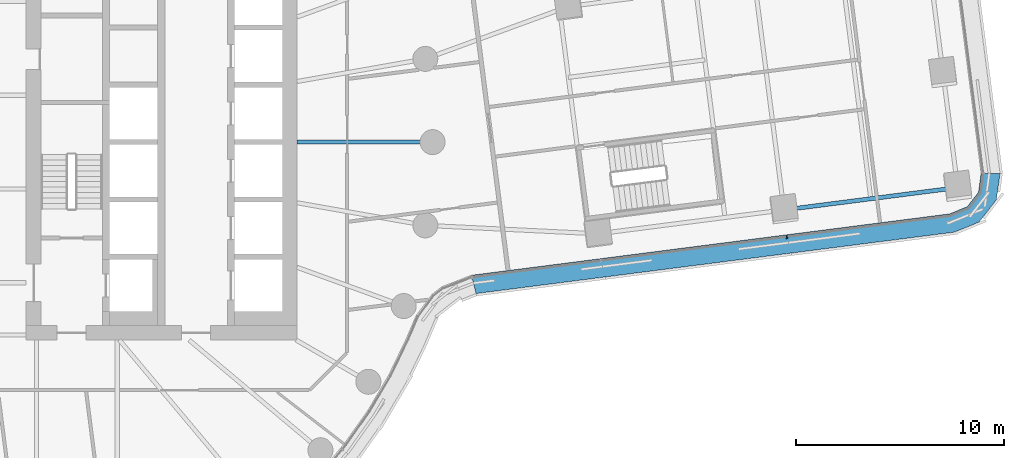
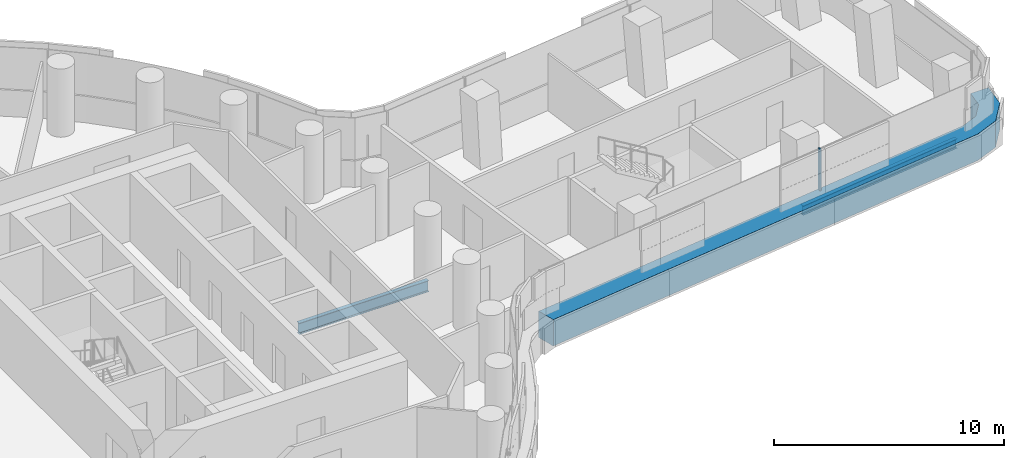
# One storey, part 10 of 31: 2 beams, 2 members, 1 element without a shape of its own.
"""IFC4 building model written with IfcOpenShell, lengths in metres."""

from ifc_helpers import new_model, si_unit, direction, frame, origin, origin_2d, place, context, subcontext, project, spatial, polyline, rectangle, i_section, outline, extrude, material, layer, layer_set, material_profile, profile_set, type_object, element, aggregate, save


model = new_model("IFC4")

# Units and contexts
model_context = context("Model", 3, precision=1e-05, world=origin(), true_north=direction((0.0, 1.0)))
body_context = subcontext(model_context, "Body", "Model", "MODEL_VIEW")
ifc_project = project(units=[si_unit("LENGTHUNIT", "METRE"), si_unit("AREAUNIT", "SQUARE_METRE"), si_unit("VOLUMEUNIT", "CUBIC_METRE"), si_unit("PLANEANGLEUNIT", "RADIAN"), si_unit("MASSUNIT", "GRAM", prefix="KILO")], contexts=[model_context])

# Site, building, storey
site_placement = place(None, origin())
site = spatial("IfcSite", under=ifc_project, at=site_placement, CompositionType="ELEMENT")
building_placement = place(site_placement, origin())
building = spatial("IfcBuilding", under=site, at=building_placement, Name="Tamarind Cross Interchange Tower", CompositionType="ELEMENT")
storey_placement = place(building_placement, frame((0.0, 0.0, 60.25)))
storey = spatial("IfcBuildingStorey", under=building, at=storey_placement, Name="L13", CompositionType="ELEMENT", Elevation=60.25)

# Beams
ifc_material_1 = material(Name="Steel Q355B", Category="steel")
ifc_material_profile_1 = material_profile(ifc_material_1, i_section(OverallWidth=0.198974609375, OverallDepth=0.49609375, WebThickness=0.009033203125, FlangeThickness=0.013916015625, FilletRadius=0.012939453125, at=origin_2d()), Name="HN 496x199x9x14")
ifc_profile_set_1 = profile_set([ifc_material_profile_1], Name="Steel Q355B")
beam_type_1 = type_object("IfcBeamType", Name="Composite beam HN 496x199x9x14 Q355B", PredefinedType="BEAM", material=ifc_profile_set_1)
beam_1_placement = place(storey_placement, frame((48.199951171875, -2.182373046875, -0.387939453125), z_axis=(-0.991862874278, -0.127310795413, 0.0), x_axis=(0.127310795413, -0.991862874278, 0.0)))
element("IfcBeam", 1, at=beam_1_placement, inside=storey, type_object=beam_type_1, Name="Beam E-edgeem5", PredefinedType="BEAM", context=body_context, shape_type="SweptSolid", body=[
    extrude(i_section(OverallWidth=0.198974609375, OverallDepth=0.49609375, WebThickness=0.009033203125, FlangeThickness=0.013916015625, FilletRadius=0.012939453125, at=origin_2d()), origin(), (0.0, 0.0, 1.0), 8.408935546875),
])
ifc_material_profile_2 = material_profile(ifc_material_1, i_section(OverallWidth=0.198974609375, OverallDepth=0.595947265625, WebThickness=0.010009765625, FlangeThickness=0.014892578125, FilletRadius=0.012939453125, at=origin_2d()), Name="HN 596x199x10x15")
ifc_profile_set_2 = profile_set([ifc_material_profile_2], Name="Steel Q355B")
beam_type_2 = type_object("IfcBeamType", Name="Composite beam HN 596x199x10x15 Q355B", PredefinedType="BEAM", material=ifc_profile_set_2)
beam_2_placement = place(storey_placement, frame((23.0, 0.0, -0.43798828125), z_axis=(-1.0, 0.0, 0.0), x_axis=(0.0, -1.0, 0.0)))
element("IfcBeam", 2, at=beam_2_placement, inside=storey, type_object=beam_type_2, Name="Beam HH00", PredefinedType="BEAM", context=body_context, shape_type="SweptSolid", body=[
    extrude(i_section(OverallWidth=0.198974609375, OverallDepth=0.595947265625, WebThickness=0.010009765625, FlangeThickness=0.014892578125, FilletRadius=0.012939453125, at=origin_2d()), origin(), (0.0, 0.0, 1.0), 6.5),
])

# Curtain wall, members
ifc_material_2 = material(Name="Aluminium 6063-T6", Category="aluminium")
ifc_layer = layer(ifc_material_2, 0.159912109375)
ifc_layer_set = layer_set([ifc_layer], Name="Aluminium 6063-T6")
curtain_wall_type = type_object("IfcCurtainWallType", Name="Office curtain wall, 9.0 m bays", PredefinedType="NOTDEFINED", material=ifc_layer_set)
curtain_wall_placement = place(storey_placement, origin())
curtain_wall = element("IfcCurtainWall", 3, at=curtain_wall_placement, inside=storey, type_object=curtain_wall_type, Name="CWS-L13-07", PredefinedType="NOTDEFINED")
ifc_material_3 = material(Name="Aluminium and insulated spandrel panel", Category="aluminium")
member_type_1 = type_object("IfcMemberType", Name="Floor-edge blade transom", PredefinedType="USERDEFINED", material=ifc_material_3)
member_1_placement = place(storey_placement, origin())
member_1 = element("IfcMember", 4, at=member_1_placement, type_object=member_type_1, Name="CWT-L13-07", ObjectType="TRANSOM", PredefinedType="USERDEFINED", context=body_context, shape_type="SweptSolid", body=[
    extrude(outline(polyline([(24.86279296875, -6.387451171875), (47.817626953125, -3.44140625), (48.66455078125, -3.09375), (49.19921875, -2.40185546875), (49.321533203125, -1.49462890625), (50.229248046875, -1.49755859375), (50.058837890625, -2.76123046875), (49.229248046875, -3.8349609375), (48.0498046875, -4.319091796875), (25.08642578125, -7.26611328125), (24.86279296875, -6.387451171875)])), origin(), (0.0, 0.0, 1.0), 1.39990234375),
])
ifc_material_profile_3 = material_profile(ifc_material_2, rectangle(XDim=0.06005859375, YDim=0.159912109375, at=origin_2d()), Name="Mullion CW1")
ifc_profile_set_3 = profile_set([ifc_material_profile_3], Name="Aluminium 6063-T6")
member_type_2 = type_object("IfcMemberType", Name="Mullion CW1", PredefinedType="MULLION", material=ifc_profile_set_3)
member_2_placement = place(storey_placement, frame((39.99951171875, -4.545654296875, 1.39990234375), z_axis=(0.0, 0.0, 1.0), x_axis=(0.991864253985, 0.127300045824, 0.0)))
member_2 = element("IfcMember", 5, at=member_2_placement, type_object=member_type_2, Name="CWM-L13-07-02", PredefinedType="MULLION", context=body_context, shape_type="SweptSolid", body=[
    extrude(rectangle(XDim=0.06005859375, YDim=0.159912109375, at=origin_2d()), origin(), (0.0, 0.0, 1.0), 2.210205078125),
])
aggregate(curtain_wall, [member_2, member_1])

save(model, "model.ifc")
